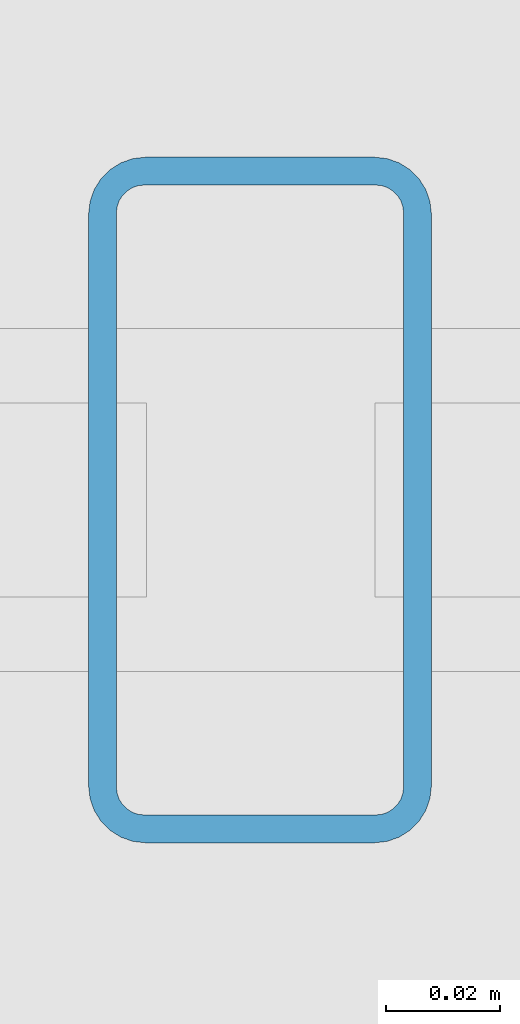
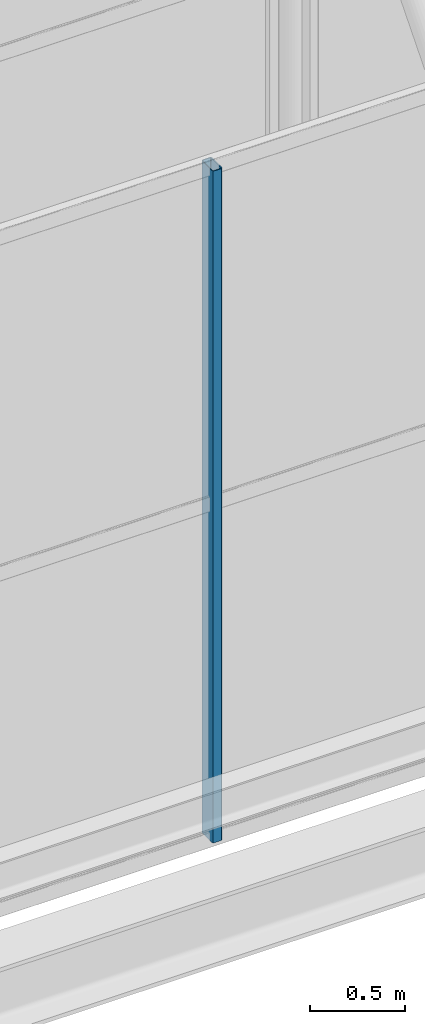
# One storey, part 22 of 77: 1 member, 1 element without a shape of its own.
"""IFC4 building model written with IfcOpenShell, lengths in metres."""

from ifc_helpers import new_model, si_unit, derived_unit, direction, frame, origin, origin_2d, place, context, subcontext, project, spatial, hollow_rectangle, extrude, material, material_profile, profile_set, type_object, element, aggregate, save


model = new_model("IFC4")

# Units and contexts
model_context = context("Model", 3, precision=1e-05, world=origin(), true_north=direction((0.0, 1.0)))
body_context = subcontext(model_context, "Body", "Model", "MODEL_VIEW")
ifc_project = project(units=[si_unit("LENGTHUNIT", "METRE"), si_unit("AREAUNIT", "SQUARE_METRE"), si_unit("VOLUMEUNIT", "CUBIC_METRE"), si_unit("PLANEANGLEUNIT", "RADIAN"), si_unit("MASSUNIT", "GRAM", prefix="KILO"), derived_unit("THERMALTRANSMITTANCEUNIT", [(si_unit("MASSUNIT", "GRAM", prefix="KILO"), 1), (si_unit("TIMEUNIT", "SECOND"), -3), (si_unit("THERMODYNAMICTEMPERATUREUNIT", "KELVIN"), -1)])], contexts=[model_context])

# Site, building, storey
site_placement = place(None, origin())
site = spatial("IfcSite", under=ifc_project, at=site_placement, CompositionType="ELEMENT")
building_placement = place(site_placement, origin())
building = spatial("IfcBuilding", under=site, at=building_placement, Name="Kharveza Railside Sports Centre", CompositionType="ELEMENT")
storey_placement = place(building_placement, frame((0.0, 0.0, 17.10009765625)))
storey = spatial("IfcBuildingStorey", under=building, at=storey_placement, Name="L04", CompositionType="ELEMENT", Elevation=17.10009765625)

# Curtain wall, member
ifc_material_1 = material(Name="Low-E solar-control laminated glass", Category="glass")
curtain_wall_type = type_object("IfcCurtainWallType", Name="CW-NL01", PredefinedType="NOTDEFINED", material=ifc_material_1)
curtain_wall_placement = place(storey_placement, origin())
curtain_wall = element("IfcCurtainWall", 1, at=curtain_wall_placement, inside=storey, type_object=curtain_wall_type, Name="CW-V1NL-3-3", PredefinedType="NOTDEFINED")
ifc_material_2 = material(Name="Anodised aluminium 6063-T6", Category="aluminium")
ifc_material_profile = material_profile(ifc_material_2, hollow_rectangle(XDim=0.06005859375, YDim=0.1201171875, WallThickness=0.0048828125, InnerFilletRadius=0.0048828125, OuterFilletRadius=0.010009765625, at=origin_2d()), Name="RHS 60x120x5.0")
ifc_profile_set = profile_set([ifc_material_profile], Name="Anodised aluminium 6063-T6")
member_type = type_object("IfcMemberType", Name="CW-ML05", PredefinedType="MULLION", material=ifc_profile_set)
member_placement = place(storey_placement, frame((55.9599609375, 48.343017578125, -0.550048828125), z_axis=(0.0, 0.0, 1.0), x_axis=(1.0, 0.0, 0.0)))
member = element("IfcMember", 2, at=member_placement, type_object=member_type, Name="CW-V1NL-3-3-ML3", PredefinedType="MULLION", context=body_context, shape_type="SweptSolid", body=[
    extrude(hollow_rectangle(XDim=0.06005859375, YDim=0.1201171875, WallThickness=0.0048828125, InnerFilletRadius=0.0048828125, OuterFilletRadius=0.010009765625, at=origin_2d()), origin(), (0.0, 0.0, 1.0), 4.300048828125),
])
aggregate(curtain_wall, [member])

save(model, "model.ifc")
